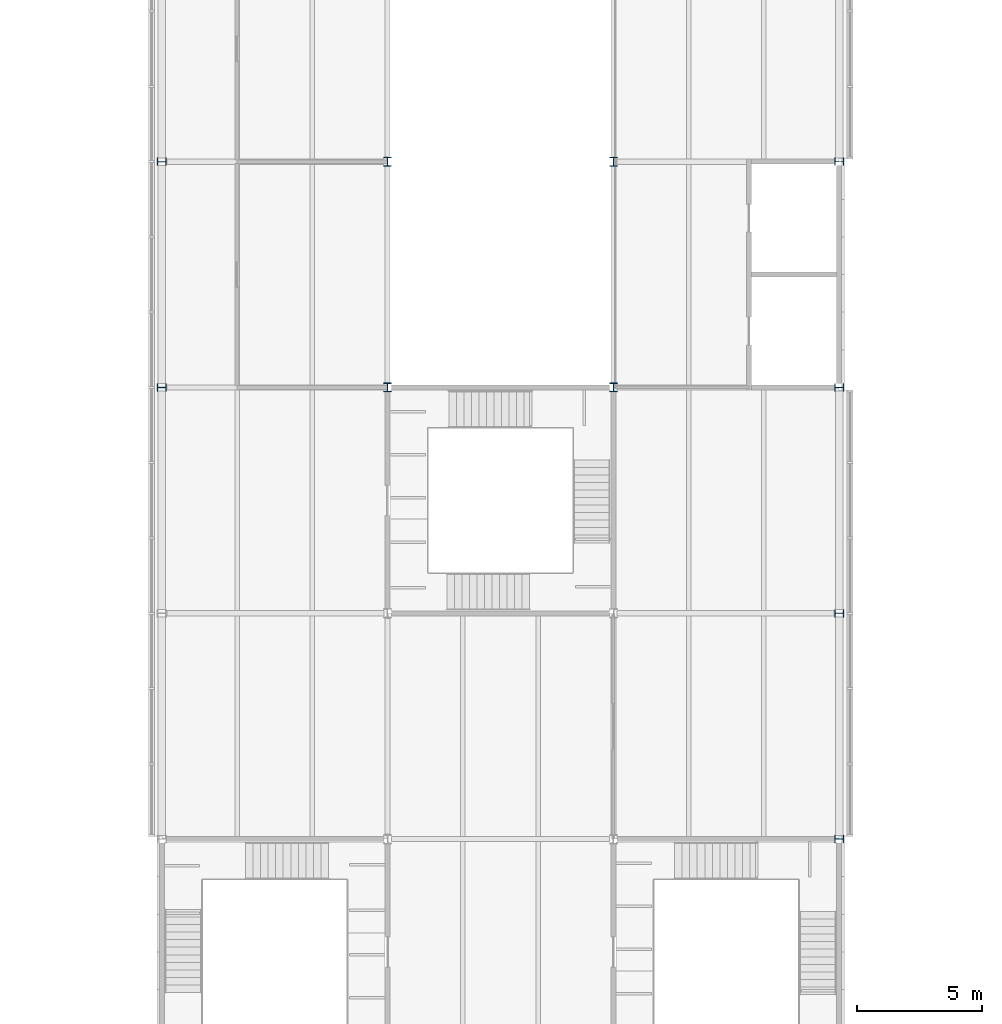
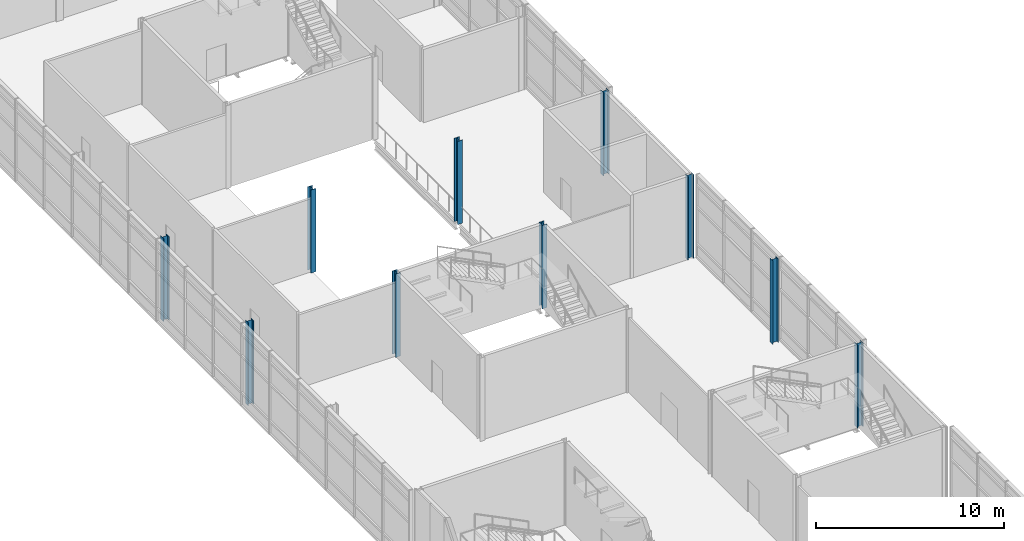
# One storey, part 2 of 53: 10 columns.
"""IFC4 building model written with IfcOpenShell, lengths in metres."""

from ifc_helpers import new_model, si_unit, direction, frame, origin, origin_2d, place, context, subcontext, project, spatial, i_section, extrude, material, material_profile, profile_set, type_object, element, save


model = new_model("IFC4")

# Units and contexts
model_context = context("Model", 3, precision=1e-05, world=origin(), true_north=direction((0.0, 1.0)))
body_context = subcontext(model_context, "Body", "Model", "MODEL_VIEW")
ifc_project = project(units=[si_unit("LENGTHUNIT", "METRE"), si_unit("AREAUNIT", "SQUARE_METRE"), si_unit("VOLUMEUNIT", "CUBIC_METRE"), si_unit("PLANEANGLEUNIT", "RADIAN"), si_unit("MASSUNIT", "GRAM", prefix="KILO")], contexts=[model_context])

# Site, building, storey
site_placement = place(None, origin())
site = spatial("IfcSite", under=ifc_project, at=site_placement, CompositionType="ELEMENT")
building_placement = place(site_placement, origin())
building = spatial("IfcBuilding", under=site, at=building_placement, Name="Azimuth Sports and Learning Centre", CompositionType="ELEMENT")
storey_placement = place(building_placement, frame((0.0, 0.0, 10.800048828125)))
storey = spatial("IfcBuildingStorey", under=building, at=storey_placement, Name="L02", CompositionType="ELEMENT", Elevation=10.800048828125)

# Columns
ifc_material = material(Name="Steel S355", Category="steel")
ifc_material_profile = material_profile(ifc_material, i_section(OverallWidth=0.300048828125, OverallDepth=0.360107421875, WebThickness=0.012451171875, FlangeThickness=0.0224609375, FilletRadius=0.027099609375, at=origin_2d()), Name="HEB 360")
ifc_profile_set = profile_set([ifc_material_profile], Name="Steel S355")
column_type = type_object("IfcColumnType", Name="Column HEB 360", PredefinedType="COLUMN", material=ifc_profile_set)
for number, where, z_axis, x_axis, name in (
    (1, (99.0, 36.0, 0.0), (0.0, 0.0, 1.0), (0.0, 1.0, 0.0), "Column 12E L02"),
    (2, (99.0, 45.0, 0.0), (0.0, 0.0, 1.0), (0.0, 1.0, 0.0), "Column 12F L02"),
    (3, (72.0, 54.0, 0.0), (0.0, 0.0, 1.0), (0.0, 1.0, 0.0), "Column 9G L02"),
    (4, (81.0, 54.0, 0.0), (0.0, 0.0, 1.0), (1.0, 0.0, 0.0), "Column 10G L02"),
    (5, (90.0, 54.0, 0.0), (0.0, 0.0, 1.0), (1.0, 0.0, 0.0), "Column 11G L02"),
    (6, (99.0, 54.0, 0.0), (0.0, 0.0, 1.0), (0.0, 1.0, 0.0), "Column 12G L02"),
    (7, (72.0, 63.0, 0.0), (0.0, 0.0, 1.0), (0.0, 1.0, 0.0), "Column 9H L02"),
    (8, (81.0, 63.0, 0.0), (0.0, 0.0, 1.0), (1.0, 0.0, 0.0), "Column 10H L02"),
    (9, (90.0, 63.0, 0.0), (0.0, 0.0, 1.0), (1.0, 0.0, 0.0), "Column 11H L02"),
    (10, (99.0, 63.0, 0.0), (0.0, 0.0, 1.0), (0.0, 1.0, 0.0), "Column 12H L02"),
):
    element("IfcColumn", number, at=place(storey_placement, frame(where, z_axis=z_axis, x_axis=x_axis)), inside=storey, type_object=column_type, Name=name, PredefinedType="COLUMN", context=body_context, shape_type="SweptSolid", body=[
        extrude(i_section(OverallWidth=0.300048828125, OverallDepth=0.360107421875, WebThickness=0.012451171875, FlangeThickness=0.0224609375, FilletRadius=0.027099609375, at=origin_2d()), origin(), (0.0, 0.0, 1.0), 5.39990234375),
    ])

save(model, "model.ifc")
